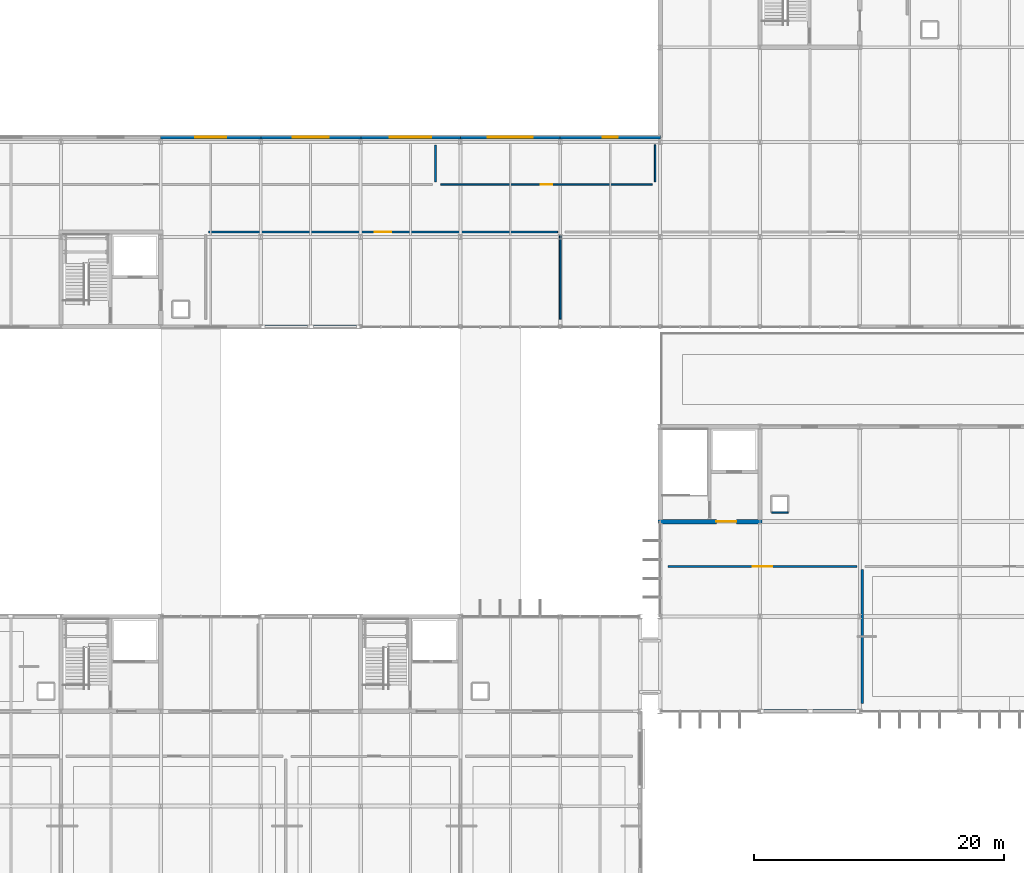
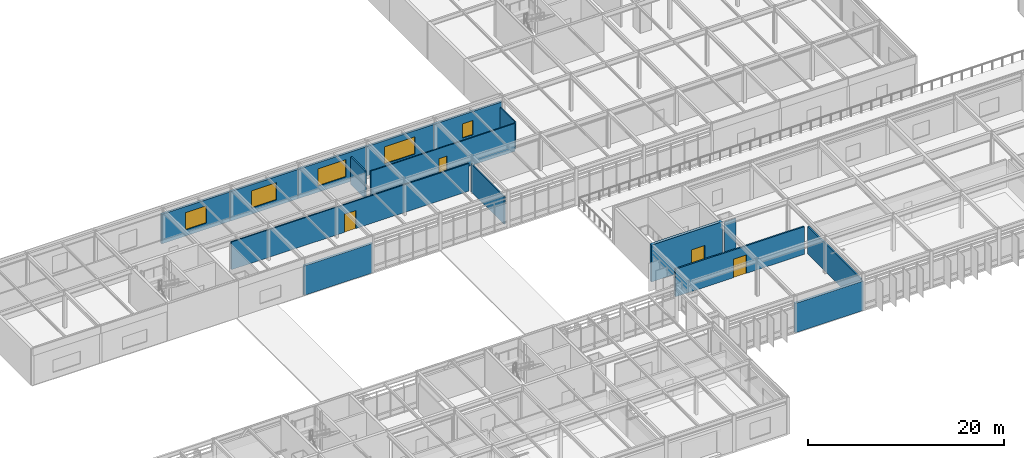
# One storey, part 84 of 100: 16 walls, 5 windows, 4 doors, 9 openings.
"""IFC4 building model written with IfcOpenShell, lengths in metres."""

import ifcopenshell
import ifcopenshell.guid

model = None  # the IFC model being written
_history = None  # IfcOwnerHistory: only IFC2X3 demands one
_inside = {}  # id of a spatial element -> (the spatial element, [elements in it])
_under = {}  # id of a project, library or spatial element -> (it, [spatial elements below it])
_declared = {}  # id of a project -> (the project, [libraries it declares])
_typed = {}  # id of a type object -> (the type object, [elements of that type])
_made_of = {}  # id of a material, layer set ... -> (it, [elements and type objects made of it])


def new_model(schema):
    """Start an empty IFC model of exactly this schema.

    Asked for "IFC4X3", IfcOpenShell would pick the latest addendum, in which some entities
    have other attributes; the version numbers below select the first issue.
    IFC2X3 requires an IfcOwnerHistory on every rooted entity: one is made here for all.
    """
    global model, _history
    if schema == "IFC4X3":
        model = ifcopenshell.file(schema_version=(4, 3, 0, 0))
    else:
        model = ifcopenshell.file(schema=schema)
    _inside.clear()
    _under.clear()
    _declared.clear()
    _typed.clear()
    _made_of.clear()
    _history = None
    if model.schema == "IFC2X3":
        org = make("IfcOrganization", Name="unknown")
        user = make(
            "IfcPersonAndOrganization",
            ThePerson=make("IfcPerson", FamilyName="unknown"),
            TheOrganization=org,
        )
        app = make(
            "IfcApplication",
            ApplicationDeveloper=org,
            Version="unknown",
            ApplicationFullName="unknown",
            ApplicationIdentifier="unknown",
        )
        _history = make(
            "IfcOwnerHistory",
            OwningUser=user,
            OwningApplication=app,
            ChangeAction="ADDED",
            CreationDate=0,
        )
    return model


def make(cls, **values):
    """One entity of the class cls with the attributes given. An attribute that is None is left unset."""
    return model.create_entity(
        cls, **{name: value for name, value in values.items() if value is not None}
    )


def rooted(cls, **values):
    """An entity with a GlobalId (a new one), such as an element, a storey or a relation."""
    return make(cls, GlobalId=ifcopenshell.guid.new(), OwnerHistory=_history, **values)


def si_unit(unit_type, name, prefix=None):
    """IfcSIUnit, for example si_unit("LENGTHUNIT", "METRE", prefix="MILLI")."""
    return make("IfcSIUnit", UnitType=unit_type, Prefix=prefix, Name=name)


def assignment(units):
    """IfcUnitAssignment: the units of a project."""
    return None if units is None else make("IfcUnitAssignment", Units=units)


def point(xyz):
    """IfcCartesianPoint."""
    return None if xyz is None else make("IfcCartesianPoint", Coordinates=xyz)


def direction(xyz):
    """IfcDirection."""
    return None if xyz is None else make("IfcDirection", DirectionRatios=xyz)


def frame(location, z_axis=None, x_axis=None):
    """IfcAxis2Placement3D, a coordinate frame: its origin and axes. An axis left out is left unset."""
    return make(
        "IfcAxis2Placement3D",
        Location=point(location),
        Axis=direction(z_axis),
        RefDirection=direction(x_axis),
    )


def frame_2d(location, x_axis=None):
    """IfcAxis2Placement2D, a coordinate frame in the plane: its origin and x axis."""
    return make(
        "IfcAxis2Placement2D", Location=point(location), RefDirection=direction(x_axis)
    )


def origin():
    """The frame at (0, 0, 0) with its axes left unset."""
    return frame((0.0, 0.0, 0.0))


def place(relative_to, where):
    """IfcLocalPlacement: puts the frame where relative to a parent placement (None: the world)."""
    return make(
        "IfcLocalPlacement", PlacementRelTo=relative_to, RelativePlacement=where
    )


def context(
    kind, dimensions, precision=None, world=None, true_north=None, identifier=None
):
    """IfcGeometricRepresentationContext, for example the 3D "Model" context."""
    return make(
        "IfcGeometricRepresentationContext",
        ContextIdentifier=identifier,
        ContextType=kind,
        CoordinateSpaceDimension=dimensions,
        Precision=precision,
        WorldCoordinateSystem=world,
        TrueNorth=true_north,
    )


def subcontext(parent, identifier, kind, view, scale=None):
    """IfcGeometricRepresentationSubContext, for example "Body" below "Model"."""
    return make(
        "IfcGeometricRepresentationSubContext",
        ContextIdentifier=identifier,
        ContextType=kind,
        ParentContext=parent,
        TargetScale=scale,
        TargetView=view,
    )


def project(units=None, contexts=None):
    """IfcProject with its units and contexts."""
    return rooted(
        "IfcProject",
        Name="project",
        RepresentationContexts=contexts,
        UnitsInContext=assignment(units),
    )


def spatial(cls, under=None, at=None, **own):
    """A site, building, storey or space (cls), placed at a placement, below another one or the project."""
    s = rooted(cls, ObjectPlacement=at, **own)
    if under is not None:
        _under.setdefault(under.id(), (under, []))[1].append(s)
    return s


def profile(cls, at=None, kind="AREA", **sizes):
    """A parametric profile (cls). Its sizes go by their IFC names, for example OverallWidth=200.0."""
    return make(cls, ProfileType=kind, Position=at, **sizes)


def rectangle(**sizes):
    """IfcRectangleProfileDef."""
    return profile("IfcRectangleProfileDef", **sizes)


def extrude(swept, where, along, depth):
    """IfcExtrudedAreaSolid: the profile swept, set in the frame where, extruded along a direction by depth."""
    return make(
        "IfcExtrudedAreaSolid",
        SweptArea=swept,
        Position=where,
        ExtrudedDirection=direction(along),
        Depth=depth,
    )


def shape(context_of_items, identifier, shape_type, items):
    """IfcShapeRepresentation: the items that make up one representation, for example the "Body"."""
    return make(
        "IfcShapeRepresentation",
        ContextOfItems=context_of_items,
        RepresentationIdentifier=identifier,
        RepresentationType=shape_type,
        Items=items,
    )


def material(Name=None, Category=None):
    """IfcMaterial."""
    return make("IfcMaterial", Name=Name, Category=Category)


def layer(
    of_material, thickness, ventilated=None, Name=None, Category=None, Priority=None
):
    """IfcMaterialLayer: one layer of a wall or slab, of a material (None: an air gap)."""
    return make(
        "IfcMaterialLayer",
        Material=of_material,
        LayerThickness=thickness,
        IsVentilated=ventilated,
        Name=Name,
        Category=Category,
        Priority=Priority,
    )


def layer_set(layers, Name=None):
    """IfcMaterialLayerSet."""
    return make("IfcMaterialLayerSet", MaterialLayers=layers, LayerSetName=Name)


def made_of(thing, what):
    """Note that an element or type object is made of a material, layer set ...; save() writes the relation."""
    if what is not None:
        _made_of.setdefault(what.id(), (what, []))[1].append(thing)
    return thing


def type_object(cls, material=None, **own):
    """A type object (cls), such as IfcWallType, which elements share."""
    return made_of(rooted(cls, **own), material)


def element(
    cls,
    number,
    at=None,
    inside=None,
    cuts=None,
    type_object=None,
    material=None,
    context=None,
    identifier="Body",
    shape_type=None,
    held_by="IfcProductDefinitionShape",
    body=None,
    shapes=None,
    **own,
):
    """One element of the class cls, such as IfcWall. Its Tag is "e" and its number.

    at: its placement. inside: the storey or other place that contains it. cuts: it is an
    opening in that element (IfcRelVoidsElement). A single representation is given by context,
    identifier, shape_type and body (its items); several are given by shapes. held_by: the class
    of the entity that holds the representations. save() writes the other relations.
    """
    e = rooted(cls, Tag="e%d" % number, ObjectPlacement=at, **own)
    if body is not None:
        shapes = [shape(context, identifier, shape_type, body)]
    if shapes is not None:
        e.Representation = make(held_by, Representations=shapes)
    if inside is not None:
        _inside.setdefault(inside.id(), (inside, []))[1].append(e)
    if cuts is not None:
        rooted(
            "IfcRelVoidsElement", RelatingBuildingElement=cuts, RelatedOpeningElement=e
        )
    if type_object is not None:
        _typed.setdefault(type_object.id(), (type_object, []))[1].append(e)
    return made_of(e, material)


def fill(opening, filler):
    """IfcRelFillsElement: the door or window that sits in an opening."""
    return rooted(
        "IfcRelFillsElement",
        RelatingOpeningElement=opening,
        RelatedBuildingElement=filler,
    )


def aggregate(whole, parts):
    """IfcRelAggregates: a whole, such as a stair, and the parts it consists of."""
    return rooted("IfcRelAggregates", RelatingObject=whole, RelatedObjects=parts)


def save(model, path):
    """Write the relations noted so far, then the file.

    IfcRelAggregates (storeys below a building ...), IfcRelContainedInSpatialStructure (elements
    in a storey), IfcRelDefinesByType, IfcRelAssociatesMaterial and IfcRelDeclares: one each for
    every whole, place, type object, material and project.
    """
    for whole, parts in _under.values():
        aggregate(whole, parts)
    for where, things in _inside.values():
        rooted(
            "IfcRelContainedInSpatialStructure",
            RelatedElements=things,
            RelatingStructure=where,
        )
    for kind, things in _typed.values():
        rooted("IfcRelDefinesByType", RelatedObjects=things, RelatingType=kind)
    for what, things in _made_of.values():
        rooted("IfcRelAssociatesMaterial", RelatedObjects=things, RelatingMaterial=what)
    for by, libraries in _declared.values():
        rooted("IfcRelDeclares", RelatingContext=by, RelatedDefinitions=libraries)
    model.write(path)


model = new_model("IFC4")

# Units and contexts
model_context = context("Model", 3, precision=1e-05, world=origin(), true_north=direction((0.0, 1.0)))
body_context = subcontext(model_context, "Body", "Model", "MODEL_VIEW")
ifc_project = project(units=[si_unit("LENGTHUNIT", "METRE"), si_unit("AREAUNIT", "SQUARE_METRE"), si_unit("VOLUMEUNIT", "CUBIC_METRE"), si_unit("PLANEANGLEUNIT", "RADIAN"), si_unit("MASSUNIT", "GRAM", prefix="KILO")], contexts=[model_context])

# Site, building, storey
site_placement = place(None, origin())
site = spatial("IfcSite", under=ifc_project, at=site_placement, CompositionType="ELEMENT")
building_placement = place(site_placement, origin())
building = spatial("IfcBuilding", under=site, at=building_placement, Name="Zulena Civic Courthouse", CompositionType="ELEMENT")
storey_placement = place(building_placement, frame((0.0, 0.0, 20.39990234375)))
storey = spatial("IfcBuildingStorey", under=building, at=storey_placement, Name="L04", CompositionType="ELEMENT", Elevation=20.39990234375)

# Wall, opening, door
ifc_material_1 = material(Name="Concrete C40/50", Category="concrete")
ifc_layer_1 = layer(ifc_material_1, 0.35009765625)
ifc_layer_set_1 = layer_set([ifc_layer_1], Name="Concrete C40/50")
wall_type_1 = type_object("IfcWallType", Name="CoreShearWall_RC350", PredefinedType="SHEAR", material=ifc_layer_set_1)
wall_1_placement = place(storey_placement, frame((67.824951171875, 30.39990234375, 0.0), z_axis=(0.0, 0.0, 1.0), x_axis=(1.0, 0.0, 0.0)))
wall_1 = element("IfcWall", 1, at=wall_1_placement, inside=storey, type_object=wall_type_1, Name="cwall:K4A:L04:S", PredefinedType="SHEAR", context=body_context, shape_type="SweptSolid", body=[
    extrude(rectangle(XDim=8.35009765625, YDim=0.35009765625, at=frame_2d((4.175048828125, 0.0))), origin(), (0.0, 0.0, 1.0), 4.590087890625),
])
opening_1_placement = place(wall_1_placement, frame((4.68505859375, 0.0, 0.0)))
opening_1 = element("IfcOpeningElement", 2, at=opening_1_placement, cuts=wall_1, Name="Opening ID04", PredefinedType="OPENING", context=body_context, shape_type="SweptSolid", body=[
    extrude(rectangle(XDim=1.60009765625, YDim=2.35009765625, at=frame_2d((0.800048828125, 1.175048828125))), frame((0.0, 0.18505859375, 0.0), z_axis=(0.0, -1.0, 0.0), x_axis=(1.0, 0.0, 0.0)), (0.0, 0.0, 1.0), 0.3701171875),
])
ifc_material_2 = material(Name="Solid-core acoustic hardwood timber", Category="wood")
door_type_1 = type_object("IfcDoorType", Name="IntDoor_CourtPublic_1600x2350", OperationType="DOUBLE_DOOR_SINGLE_SWING", PredefinedType="DOOR", material=ifc_material_2)
door_1_placement = place(opening_1_placement, origin())
door_1 = element("IfcDoor", 3, at=door_1_placement, inside=storey, type_object=door_type_1, Name="door:corelob:K4A:L04", OperationType="DOUBLE_DOOR_SINGLE_SWING", OverallHeight=2.35009765625, OverallWidth=1.60009765625, PredefinedType="DOOR", context=body_context, shape_type="SweptSolid", body=[
    extrude(rectangle(XDim=1.60009765625, YDim=2.35009765625, at=frame_2d((0.800048828125, 1.175048828125))), frame((0.0, 0.02490234375, 0.0), z_axis=(0.0, -1.0, 0.0), x_axis=(1.0, 0.0, 0.0)), (0.0, 0.0, 1.0), 0.050048828125),
])
fill(opening_1, door_1)

# Wall, opening, window
ifc_material_3 = material(Name="Buff architectural precast concrete C40/50", Category="concrete")
ifc_layer_2 = layer(ifc_material_3, 0.264892578125)
ifc_layer_set_2 = layer_set([ifc_layer_2], Name="Buff architectural precast concrete C40/50")
wall_type_2 = type_object("IfcWallType", Name="ExtWall_BuffPrecast_265", PredefinedType="STANDARD", material=ifc_layer_set_2)
wall_2_placement = place(storey_placement, frame((27.97998046875, 61.199951171875, 0.0), z_axis=(0.0, 0.0, 1.0), x_axis=(1.0, 0.0, 0.0)))
wall_2 = element("IfcWall", 4, at=wall_2_placement, inside=storey, type_object=wall_type_2, Name="ewall:V5:L04:1:3", PredefinedType="STANDARD", context=body_context, shape_type="SweptSolid", body=[
    extrude(rectangle(XDim=8.0400390625, YDim=0.264892578125, at=frame_2d((4.02001953125, 0.0))), origin(), (0.0, 0.0, 1.0), 3.66015625),
])
opening_2_placement = place(wall_2_placement, frame((2.77001953125, 0.0, 0.75)))
opening_2 = element("IfcOpeningElement", 5, at=opening_2_placement, cuts=wall_2, Name="Opening WN12", PredefinedType="OPENING", context=body_context, shape_type="SweptSolid", body=[
    extrude(rectangle(XDim=2.5, YDim=2.14990234375, at=frame_2d((1.25, 1.074951171875))), frame((0.0, 0.142333984375, 0.0), z_axis=(0.0, -1.0, 0.0), x_axis=(1.0, 0.0, 0.0)), (0.0, 0.0, 1.0), 0.284912109375),
])
ifc_material_4 = material(Name="Double-silver low-E laminated solar-control glass", Category="glass")
window_type_1 = type_object("IfcWindowType", Name="Win_2500x2150", PartitioningType="DOUBLE_PANEL_VERTICAL", PredefinedType="WINDOW", material=ifc_material_4)
window_1_placement = place(opening_2_placement, origin())
window_1 = element("IfcWindow", 6, at=window_1_placement, inside=storey, type_object=window_type_1, Name="win:V5:L04:1:3", OverallHeight=2.14990234375, OverallWidth=2.5, PartitioningType="SINGLE_PANEL", PredefinedType="WINDOW", context=body_context, shape_type="SweptSolid", body=[
    extrude(rectangle(XDim=2.5, YDim=2.14990234375, at=frame_2d((1.25, 1.074951171875))), frame((0.0, 0.030029296875, 0.0), z_axis=(0.0, -1.0, 0.0), x_axis=(1.0, 0.0, 0.0)), (0.0, 0.0, 1.0), 0.06005859375),
])
fill(opening_2, window_1)

wall_3_placement = place(storey_placement, frame((35.97998046875, 61.199951171875, 0.0), z_axis=(0.0, 0.0, 1.0), x_axis=(1.0, 0.0, 0.0)))
wall_3 = element("IfcWall", 7, at=wall_3_placement, inside=storey, type_object=wall_type_2, Name="ewall:V5:L04:1:4", PredefinedType="STANDARD", context=body_context, shape_type="SweptSolid", body=[
    extrude(rectangle(XDim=8.0400390625, YDim=0.264892578125, at=frame_2d((4.02001953125, 0.0))), origin(), (0.0, 0.0, 1.0), 3.66015625),
])
opening_3_placement = place(wall_3_placement, frame((2.570068359375, 0.0, 0.75)))
opening_3 = element("IfcOpeningElement", 8, at=opening_3_placement, cuts=wall_3, Name="Opening WN13", PredefinedType="OPENING", context=body_context, shape_type="SweptSolid", body=[
    extrude(rectangle(XDim=2.89990234375, YDim=2.14990234375, at=frame_2d((1.449951171875, 1.074951171875))), frame((0.0, 0.142333984375, 0.0), z_axis=(0.0, -1.0, 0.0), x_axis=(1.0, 0.0, 0.0)), (0.0, 0.0, 1.0), 0.284912109375),
])
window_type_2 = type_object("IfcWindowType", Name="Win_2900x2150", PartitioningType="DOUBLE_PANEL_VERTICAL", PredefinedType="WINDOW", material=ifc_material_4)
window_2_placement = place(opening_3_placement, origin())
window_2 = element("IfcWindow", 9, at=window_2_placement, inside=storey, type_object=window_type_2, Name="win:V5:L04:1:4", OverallHeight=2.14990234375, OverallWidth=2.89990234375, PartitioningType="SINGLE_PANEL", PredefinedType="WINDOW", context=body_context, shape_type="SweptSolid", body=[
    extrude(rectangle(XDim=2.89990234375, YDim=2.14990234375, at=frame_2d((1.449951171875, 1.074951171875))), frame((0.0, 0.030029296875, 0.0), z_axis=(0.0, -1.0, 0.0), x_axis=(1.0, 0.0, 0.0)), (0.0, 0.0, 1.0), 0.06005859375),
])
fill(opening_3, window_2)

wall_4_placement = place(storey_placement, frame((43.97998046875, 61.199951171875, 0.0), z_axis=(0.0, 0.0, 1.0), x_axis=(1.0, 0.0, 0.0)))
wall_4 = element("IfcWall", 10, at=wall_4_placement, inside=storey, type_object=wall_type_2, Name="ewall:V5:L04:1:5", PredefinedType="STANDARD", context=body_context, shape_type="SweptSolid", body=[
    extrude(rectangle(XDim=8.0400390625, YDim=0.264892578125, at=frame_2d((4.02001953125, 0.0))), origin(), (0.0, 0.0, 1.0), 3.66015625),
])
opening_4_placement = place(wall_4_placement, frame((2.3701171875, 0.0, 0.75)))
opening_4 = element("IfcOpeningElement", 11, at=opening_4_placement, cuts=wall_4, Name="Opening WN14", PredefinedType="OPENING", context=body_context, shape_type="SweptSolid", body=[
    extrude(rectangle(XDim=3.300048828125, YDim=2.14990234375, at=frame_2d((1.64990234375, 1.074951171875))), frame((0.0, 0.142333984375, 0.0), z_axis=(0.0, -1.0, 0.0), x_axis=(1.0, 0.0, 0.0)), (0.0, 0.0, 1.0), 0.284912109375),
])
window_type_3 = type_object("IfcWindowType", Name="Win_3300x2150", PartitioningType="DOUBLE_PANEL_VERTICAL", PredefinedType="WINDOW", material=ifc_material_4)
window_3_placement = place(opening_4_placement, origin())
window_3 = element("IfcWindow", 12, at=window_3_placement, inside=storey, type_object=window_type_3, Name="win:V5:L04:1:5", OverallHeight=2.14990234375, OverallWidth=3.300048828125, PartitioningType="SINGLE_PANEL", PredefinedType="WINDOW", context=body_context, shape_type="SweptSolid", body=[
    extrude(rectangle(XDim=3.300048828125, YDim=2.14990234375, at=frame_2d((1.64990234375, 1.074951171875))), frame((0.0, 0.030029296875, 0.0), z_axis=(0.0, -1.0, 0.0), x_axis=(1.0, 0.0, 0.0)), (0.0, 0.0, 1.0), 0.06005859375),
])
fill(opening_4, window_3)

wall_5_placement = place(storey_placement, frame((51.97998046875, 61.199951171875, 0.0), z_axis=(0.0, 0.0, 1.0), x_axis=(1.0, 0.0, 0.0)))
wall_5 = element("IfcWall", 13, at=wall_5_placement, inside=storey, type_object=wall_type_2, Name="ewall:V5:L04:1:6", PredefinedType="STANDARD", context=body_context, shape_type="SweptSolid", body=[
    extrude(rectangle(XDim=8.0400390625, YDim=0.264892578125, at=frame_2d((4.02001953125, 0.0))), origin(), (0.0, 0.0, 1.0), 3.66015625),
])
opening_5_placement = place(wall_5_placement, frame((2.219970703125, 0.0, 0.75)))
opening_5 = element("IfcOpeningElement", 14, at=opening_5_placement, cuts=wall_5, Name="Opening WN15", PredefinedType="OPENING", context=body_context, shape_type="SweptSolid", body=[
    extrude(rectangle(XDim=3.60009765625, YDim=2.14990234375, at=frame_2d((1.800048828125, 1.074951171875))), frame((0.0, 0.142333984375, 0.0), z_axis=(0.0, -1.0, 0.0), x_axis=(1.0, 0.0, 0.0)), (0.0, 0.0, 1.0), 0.284912109375),
])
window_type_4 = type_object("IfcWindowType", Name="Win_3600x2150", PartitioningType="DOUBLE_PANEL_VERTICAL", PredefinedType="WINDOW", material=ifc_material_4)
window_4_placement = place(opening_5_placement, origin())
window_4 = element("IfcWindow", 15, at=window_4_placement, inside=storey, type_object=window_type_4, Name="win:V5:L04:1:6", OverallHeight=2.14990234375, OverallWidth=3.60009765625, PartitioningType="SINGLE_PANEL", PredefinedType="WINDOW", context=body_context, shape_type="SweptSolid", body=[
    extrude(rectangle(XDim=3.60009765625, YDim=2.14990234375, at=frame_2d((1.800048828125, 1.074951171875))), frame((0.0, 0.030029296875, 0.0), z_axis=(0.0, -1.0, 0.0), x_axis=(1.0, 0.0, 0.0)), (0.0, 0.0, 1.0), 0.06005859375),
])
fill(opening_5, window_4)

wall_6_placement = place(storey_placement, frame((59.97998046875, 61.199951171875, 0.0), z_axis=(0.0, 0.0, 1.0), x_axis=(1.0, 0.0, 0.0)))
wall_6 = element("IfcWall", 16, at=wall_6_placement, inside=storey, type_object=wall_type_2, Name="ewall:V5:L04:1:7", PredefinedType="STANDARD", context=body_context, shape_type="SweptSolid", body=[
    extrude(rectangle(XDim=8.0400390625, YDim=0.264892578125, at=frame_2d((4.02001953125, 0.0))), origin(), (0.0, 0.0, 1.0), 3.66015625),
])
opening_6_placement = place(wall_6_placement, frame((3.419921875, 0.0, 0.75)))
opening_6 = element("IfcOpeningElement", 17, at=opening_6_placement, cuts=wall_6, Name="Opening WN16", PredefinedType="OPENING", context=body_context, shape_type="SweptSolid", body=[
    extrude(rectangle(XDim=1.199951171875, YDim=1.800048828125, at=frame_2d((0.60009765625, 0.89990234375))), frame((0.0, 0.142333984375, 0.0), z_axis=(0.0, -1.0, 0.0), x_axis=(1.0, 0.0, 0.0)), (0.0, 0.0, 1.0), 0.284912109375),
])
window_type_5 = type_object("IfcWindowType", Name="Win_1200x1800", PartitioningType="SINGLE_PANEL", PredefinedType="WINDOW", material=ifc_material_4)
window_5_placement = place(opening_6_placement, origin())
window_5 = element("IfcWindow", 18, at=window_5_placement, inside=storey, type_object=window_type_5, Name="win:V5:L04:1:7", OverallHeight=1.800048828125, OverallWidth=1.199951171875, PartitioningType="SINGLE_PANEL", PredefinedType="WINDOW", context=body_context, shape_type="SweptSolid", body=[
    extrude(rectangle(XDim=1.199951171875, YDim=1.800048828125, at=frame_2d((0.60009765625, 0.89990234375))), frame((0.0, 0.030029296875, 0.0), z_axis=(0.0, -1.0, 0.0), x_axis=(1.0, 0.0, 0.0)), (0.0, 0.0, 1.0), 0.06005859375),
])
fill(opening_6, window_5)

# Walls
wall_7_placement = place(storey_placement, frame((44.02001953125, 46.0, 0.0), z_axis=(0.0, 0.0, 1.0), x_axis=(-1.0, 0.0, 0.0)))
element("IfcWall", 19, at=wall_7_placement, inside=storey, type_object=wall_type_2, Name="ewall:V5:L04:5:8", PredefinedType="STANDARD", context=body_context, shape_type="SweptSolid", body=[
    extrude(rectangle(XDim=8.0400390625, YDim=0.264892578125, at=frame_2d((4.02001953125, 0.0))), origin(), (0.0, 0.0, 1.0), 3.66015625),
])
ifc_material_5 = material(Name="Travertine-cream architectural precast concrete C40/50", Category="masonry")
ifc_layer_3 = layer(ifc_material_5, 0.280029296875)
ifc_layer_set_3 = layer_set([ifc_layer_3], Name="Travertine-cream architectural precast concrete C40/50")
wall_type_3 = type_object("IfcWallType", Name="ExtWall_TravPrecast_280", PredefinedType="STANDARD", material=ifc_layer_set_3)
wall_8_placement = place(storey_placement, frame((84.02001953125, 15.199951171875, 0.0), z_axis=(0.0, 0.0, 1.0), x_axis=(-1.0, 0.0, 0.0)))
element("IfcWall", 20, at=wall_8_placement, inside=storey, type_object=wall_type_3, Name="ewall:V4:L04:3:5", PredefinedType="STANDARD", context=body_context, shape_type="SweptSolid", body=[
    extrude(rectangle(XDim=8.0400390625, YDim=0.280029296875, at=frame_2d((4.02001953125, 0.0))), origin(), (0.0, 0.0, 1.0), 3.66015625),
])

# Wall, opening, door
ifc_material_6 = material(Name="Acoustic fire-rated gypsum board assembly", Category="masonry")
ifc_layer_4 = layer(ifc_material_6, 0.14599609375)
ifc_layer_set_4 = layer_set([ifc_layer_4], Name="Acoustic fire-rated gypsum board assembly")
wall_type_4 = type_object("IfcWallType", Name="PartWall_Chambers_146", PredefinedType="PARTITIONING", material=ifc_layer_set_4)
wall_9_placement = place(storey_placement, frame((31.820068359375, 53.60009765625, 0.0), z_axis=(0.0, 0.0, 1.0), x_axis=(1.0, 0.0, 0.0)))
wall_9 = element("IfcWall", 21, at=wall_9_placement, inside=storey, type_object=wall_type_4, Name="pwall:L04:405:0", PredefinedType="PARTITIONING", context=body_context, shape_type="SweptSolid", body=[
    extrude(rectangle(XDim=27.9599609375, YDim=0.14599609375, at=frame_2d((13.97998046875, 0.0))), origin(), (0.0, 0.0, 1.0), 3.4501953125),
])
opening_7_placement = place(wall_9_placement, frame((13.304931640625, 0.0, 0.0)))
opening_7 = element("IfcOpeningElement", 22, at=opening_7_placement, cuts=wall_9, Name="Opening ID19", PredefinedType="OPENING", context=body_context, shape_type="SweptSolid", body=[
    extrude(rectangle(XDim=1.35009765625, YDim=2.25, at=frame_2d((0.675048828125, 1.125))), frame((0.0, 0.0830078125, 0.0), z_axis=(0.0, -1.0, 0.0), x_axis=(1.0, 0.0, 0.0)), (0.0, 0.0, 1.0), 0.166015625),
])
door_type_2 = type_object("IfcDoorType", Name="IntDoor_Library_1350x2250", OperationType="NOTDEFINED", PredefinedType="DOOR", material=ifc_material_2)
door_2_placement = place(opening_7_placement, origin())
door_2 = element("IfcDoor", 23, at=door_2_placement, inside=storey, type_object=door_type_2, Name="door:rm:L04:405", OperationType="SINGLE_SWING_RIGHT", OverallHeight=2.25, OverallWidth=1.35009765625, PredefinedType="DOOR", context=body_context, shape_type="SweptSolid", body=[
    extrude(rectangle(XDim=1.35009765625, YDim=2.25, at=frame_2d((0.675048828125, 1.125))), frame((0.0, 0.02490234375, 0.0), z_axis=(0.0, -1.0, 0.0), x_axis=(1.0, 0.0, 0.0)), (0.0, 0.0, 1.0), 0.050048828125),
])
fill(opening_7, door_2)

# Walls
wall_10_placement = place(storey_placement, frame((60.0, 46.6201171875, 0.0), z_axis=(0.0, 0.0, 1.0), x_axis=(0.0, 1.0, 0.0)))
element("IfcWall", 24, at=wall_10_placement, inside=storey, type_object=wall_type_4, Name="pwall:L04:405:2", PredefinedType="PARTITIONING", context=body_context, shape_type="SweptSolid", body=[
    extrude(rectangle(XDim=6.759765625, YDim=0.14599609375, at=frame_2d((3.3798828125, 0.0))), origin(), (0.0, 0.0, 1.0), 3.4501953125),
])
ifc_layer_5 = layer(ifc_material_6, 0.177978515625)
ifc_layer_set_5 = layer_set([ifc_layer_5], Name="Acoustic fire-rated gypsum board assembly")
wall_type_5 = type_object("IfcWallType", Name="PartWall_Corridor_178", PredefinedType="PARTITIONING", material=ifc_layer_set_5)
wall_11_placement = place(storey_placement, frame((84.199951171875, 15.820068359375, 0.0), z_axis=(0.0, 0.0, 1.0), x_axis=(0.0, 1.0, 0.0)))
element("IfcWall", 25, at=wall_11_placement, inside=storey, type_object=wall_type_5, Name="pwall:L04:255:2", PredefinedType="PARTITIONING", context=body_context, shape_type="SweptSolid", body=[
    extrude(rectangle(XDim=10.760009765625, YDim=0.177978515625, at=frame_2d((5.3798828125, 0.0))), origin(), (0.0, 0.0, 1.0), 3.4501953125),
])

# Wall, opening, door
wall_12_placement = place(storey_placement, frame((68.6201171875, 26.800048828125, 0.0), z_axis=(0.0, 0.0, 1.0), x_axis=(1.0, 0.0, 0.0)))
wall_12 = element("IfcWall", 26, at=wall_12_placement, inside=storey, type_object=wall_type_5, Name="pwall:L04:256:0", PredefinedType="PARTITIONING", context=body_context, shape_type="SweptSolid", body=[
    extrude(rectangle(XDim=15.159912109375, YDim=0.177978515625, at=frame_2d((7.580078125, 0.0))), origin(), (0.0, 0.0, 1.0), 3.4501953125),
])
opening_8_placement = place(wall_12_placement, frame((6.804931640625, 0.0, 0.0)))
opening_8 = element("IfcOpeningElement", 27, at=opening_8_placement, cuts=wall_12, Name="Opening ID16", PredefinedType="OPENING", context=body_context, shape_type="SweptSolid", body=[
    extrude(rectangle(XDim=1.550048828125, YDim=2.300048828125, at=frame_2d((0.77490234375, 1.14990234375))), frame((0.0, 0.098876953125, 0.0), z_axis=(0.0, -1.0, 0.0), x_axis=(1.0, 0.0, 0.0)), (0.0, 0.0, 1.0), 0.197998046875),
])
door_type_3 = type_object("IfcDoorType", Name="IntDoor_Registry_1550x2300", OperationType="DOUBLE_DOOR_SINGLE_SWING", PredefinedType="DOOR", material=ifc_material_2)
door_3_placement = place(opening_8_placement, origin())
door_3 = element("IfcDoor", 28, at=door_3_placement, inside=storey, type_object=door_type_3, Name="door:rm:L04:256", OperationType="DOUBLE_DOOR_SINGLE_SWING", OverallHeight=2.300048828125, OverallWidth=1.550048828125, PredefinedType="DOOR", context=body_context, shape_type="SweptSolid", body=[
    extrude(rectangle(XDim=1.550048828125, YDim=2.300048828125, at=frame_2d((0.77490234375, 1.14990234375))), frame((0.0, 0.02490234375, 0.0), z_axis=(0.0, -1.0, 0.0), x_axis=(1.0, 0.0, 0.0)), (0.0, 0.0, 1.0), 0.050048828125),
])
fill(opening_8, door_3)

# Walls
ifc_layer_6 = layer(ifc_material_6, 0.162109375)
ifc_layer_set_6 = layer_set([ifc_layer_6], Name="Acoustic fire-rated gypsum board assembly")
wall_type_6 = type_object("IfcWallType", Name="PartWall_Jury_162", PredefinedType="PARTITIONING", material=ifc_layer_set_6)
wall_13_placement = place(storey_placement, frame((50.0, 57.6201171875, 0.0), z_axis=(0.0, 0.0, 1.0), x_axis=(0.0, 1.0, 0.0)))
element("IfcWall", 29, at=wall_13_placement, inside=storey, type_object=wall_type_6, Name="pwall:L04:407:1", PredefinedType="PARTITIONING", context=body_context, shape_type="SweptSolid", body=[
    extrude(rectangle(XDim=2.9599609375, YDim=0.162109375, at=frame_2d((1.47998046875, 0.0))), origin(), (0.0, 0.0, 1.0), 3.4501953125),
])
ifc_material_7 = material(Name="Insulated blockwork masonry ASTM C90", Category="masonry")
ifc_layer_7 = layer(ifc_material_7, 0.114990234375)
ifc_layer_set_7 = layer_set([ifc_layer_7], Name="Insulated blockwork masonry ASTM C90")
wall_type_7 = type_object("IfcWallType", Name="PartWall_Riser_115", PredefinedType="PARTITIONING", material=ifc_layer_set_7)
wall_14_placement = place(storey_placement, frame((76.93994140625, 31.139892578125, 0.0), z_axis=(0.0, 0.0, 1.0), x_axis=(1.0, 0.0, 0.0)))
element("IfcWall", 30, at=wall_14_placement, inside=storey, type_object=wall_type_7, Name="riser:RS-V4W:L04:0", PredefinedType="PARTITIONING", context=body_context, shape_type="SweptSolid", body=[
    extrude(rectangle(XDim=1.320068359375, YDim=0.114990234375, at=frame_2d((0.66015625, 0.0))), origin(), (0.0, 0.0, 1.0), 3.75),
])

# Wall, opening, door
ifc_layer_8 = layer(ifc_material_7, 0.1279296875)
ifc_layer_set_8 = layer_set([ifc_layer_8], Name="Insulated blockwork masonry ASTM C90")
wall_type_8 = type_object("IfcWallType", Name="PartWall_WetRoom_128", PredefinedType="PARTITIONING", material=ifc_layer_set_8)
wall_15_placement = place(storey_placement, frame((50.419921875, 57.39990234375, 0.0), z_axis=(0.0, 0.0, 1.0), x_axis=(1.0, 0.0, 0.0)))
wall_15 = element("IfcWall", 31, at=wall_15_placement, inside=storey, type_object=wall_type_8, Name="pwall:L04:408:0", PredefinedType="PARTITIONING", context=body_context, shape_type="SweptSolid", body=[
    extrude(rectangle(XDim=16.9599609375, YDim=0.1279296875, at=frame_2d((8.47998046875, 0.0))), origin(), (0.0, 0.0, 1.0), 3.4501953125),
])
opening_9_placement = place(wall_15_placement, frame((8.010009765625, 0.0, 0.0)))
opening_9 = element("IfcOpeningElement", 32, at=opening_9_placement, cuts=wall_15, Name="Opening ID22", PredefinedType="OPENING", context=body_context, shape_type="SweptSolid", body=[
    extrude(rectangle(XDim=0.93994140625, YDim=2.199951171875, at=frame_2d((0.469970703125, 1.10009765625))), frame((0.0, 0.073974609375, 0.0), z_axis=(0.0, -1.0, 0.0), x_axis=(1.0, 0.0, 0.0)), (0.0, 0.0, 1.0), 0.14794921875),
])
door_type_4 = type_object("IfcDoorType", Name="IntDoor_Witness_940x2200", OperationType="NOTDEFINED", PredefinedType="DOOR", material=ifc_material_2)
door_4_placement = place(opening_9_placement, origin())
door_4 = element("IfcDoor", 33, at=door_4_placement, inside=storey, type_object=door_type_4, Name="door:rm:L04:408", OperationType="SINGLE_SWING_LEFT", OverallHeight=2.199951171875, OverallWidth=0.93994140625, PredefinedType="DOOR", context=body_context, shape_type="SweptSolid", body=[
    extrude(rectangle(XDim=0.93994140625, YDim=2.199951171875, at=frame_2d((0.469970703125, 1.10009765625))), frame((0.0, 0.02490234375, 0.0), z_axis=(0.0, -1.0, 0.0), x_axis=(1.0, 0.0, 0.0)), (0.0, 0.0, 1.0), 0.050048828125),
])
fill(opening_9, door_4)

# Wall
wall_16_placement = place(storey_placement, frame((67.60009765625, 57.6201171875, 0.0), z_axis=(0.0, 0.0, 1.0), x_axis=(0.0, 1.0, 0.0)))
element("IfcWall", 34, at=wall_16_placement, inside=storey, type_object=wall_type_8, Name="pwall:L04:408:1", PredefinedType="PARTITIONING", context=body_context, shape_type="SweptSolid", body=[
    extrude(rectangle(XDim=2.9599609375, YDim=0.1279296875, at=frame_2d((1.47998046875, 0.0))), origin(), (0.0, 0.0, 1.0), 3.4501953125),
])

save(model, "model.ifc")
